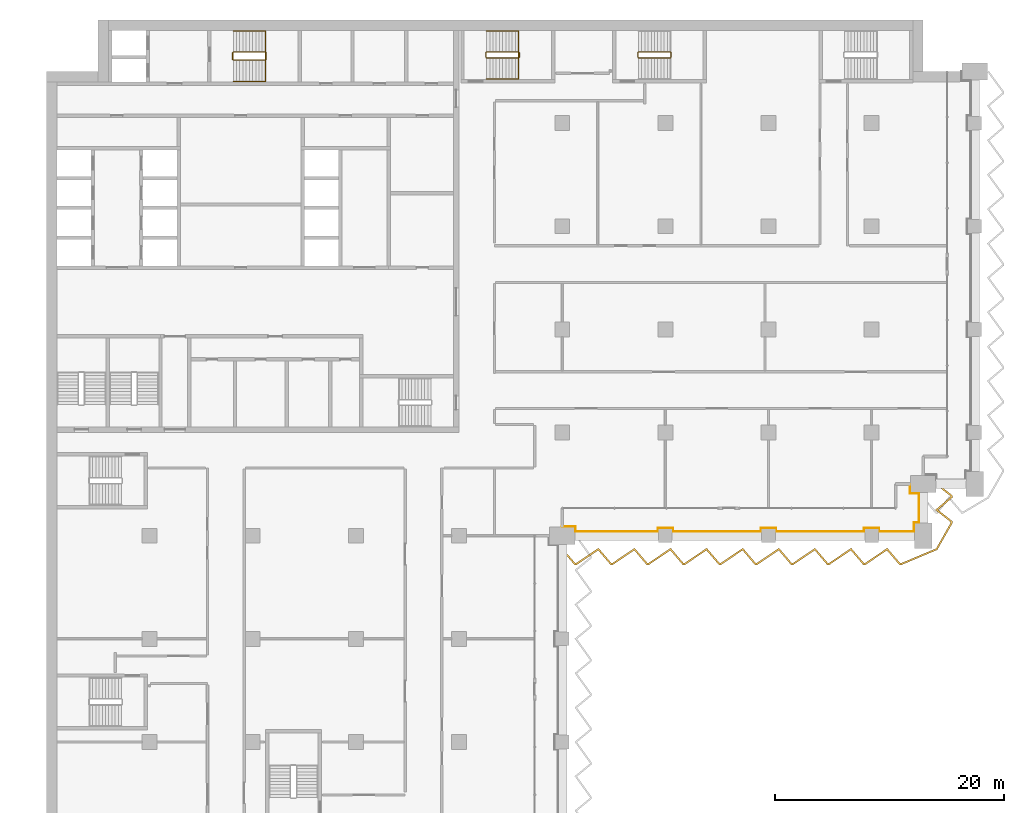
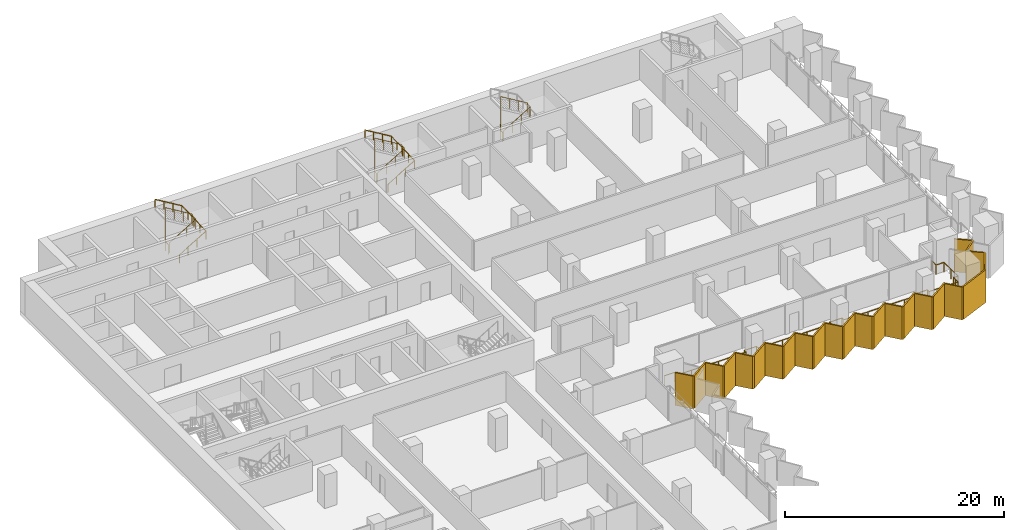
# One storey, part 22 of 23: 6 railings, 1 shading device.
"""IFC4 building model written with IfcOpenShell, lengths in metres."""

from ifc_helpers import new_model, si_unit, direction, frame, origin, origin_2d, place, context, subcontext, project, spatial, polyline, circle, outline, extrude, material, layer, layer_set, type_object, element, save


model = new_model("IFC4")

# Units and contexts
model_context = context("Model", 3, precision=1e-05, world=origin(), true_north=direction((0.0, 1.0)))
body_context = subcontext(model_context, "Body", "Model", "MODEL_VIEW")
ifc_project = project(units=[si_unit("LENGTHUNIT", "METRE"), si_unit("AREAUNIT", "SQUARE_METRE"), si_unit("VOLUMEUNIT", "CUBIC_METRE"), si_unit("PLANEANGLEUNIT", "RADIAN"), si_unit("MASSUNIT", "GRAM", prefix="KILO")], contexts=[model_context])

# Site, building, storey
site_placement = place(None, origin())
site = spatial("IfcSite", under=ifc_project, at=site_placement, CompositionType="ELEMENT")
building_placement = place(site_placement, origin())
building = spatial("IfcBuilding", under=site, at=building_placement, Name="Hunhe Ridgeline Campus", CompositionType="ELEMENT")
storey_placement = place(building_placement, frame((0.0, 0.0, 107.0)))
storey = spatial("IfcBuildingStorey", under=building, at=storey_placement, Name="L26", CompositionType="ELEMENT", Elevation=107.0)

# Railing
ifc_material_1 = material(Name="Steel Q355", Category="steel")
railing_type_1 = type_object("IfcRailingType", Name="Loggia guard 1100 Steel Q355", PredefinedType="GUARDRAIL", material=ifc_material_1)
railing_1_placement = place(storey_placement, frame((45.0, 54.820068359375, 0.0)))
element("IfcRailing", 1, at=railing_1_placement, inside=storey, type_object=railing_type_1, Name="Loggia guard 2", PredefinedType="GUARDRAIL", context=body_context, shape_type="SweptSolid", body=[
    extrude(circle(Radius=0.02392578125, at=origin_2d()), frame((0.0, 0.0, 1.076171875), z_axis=(1.0, 0.0, 0.0), x_axis=(0.0, 1.0, 0.0)), (0.0, 0.0, 1.0), 1.14990234375),
    extrude(circle(Radius=0.02392578125, at=origin_2d()), frame((1.14990234375, 0.0, 1.076171875), z_axis=(0.0, -1.0, 0.0), x_axis=(1.0, 0.0, 0.0)), (0.0, 0.0, 1.0), 0.469970703125),
    extrude(circle(Radius=0.02392578125, at=origin_2d()), frame((1.14990234375, -0.469970703125, 1.076171875), z_axis=(1.0, 0.0, 0.0), x_axis=(0.0, 1.0, 0.0)), (0.0, 0.0, 1.0), 7.2001953125),
    extrude(circle(Radius=0.02392578125, at=origin_2d()), frame((8.35009765625, -0.469970703125, 1.076171875), z_axis=(0.0, 1.0, 0.0), x_axis=(-1.0, 0.0, 0.0)), (0.0, 0.0, 1.0), 0.31982421875),
    extrude(circle(Radius=0.02392578125, at=origin_2d()), frame((8.35009765625, -0.150146484375, 1.076171875), z_axis=(1.0, 0.0, 0.0), x_axis=(0.0, 1.0, 0.0)), (0.0, 0.0, 1.0), 1.2998046875),
    extrude(circle(Radius=0.02392578125, at=origin_2d()), frame((9.64990234375, -0.150146484375, 1.076171875), z_axis=(0.0, -1.0, 0.0), x_axis=(1.0, 0.0, 0.0)), (0.0, 0.0, 1.0), 0.31982421875),
    extrude(circle(Radius=0.02392578125, at=origin_2d()), frame((9.64990234375, -0.469970703125, 1.076171875), z_axis=(1.0, 0.0, 0.0), x_axis=(0.0, 1.0, 0.0)), (0.0, 0.0, 1.0), 7.7001953125),
    extrude(circle(Radius=0.02392578125, at=origin_2d()), frame((17.35009765625, -0.469970703125, 1.076171875), z_axis=(0.0, 1.0, 0.0), x_axis=(-1.0, 0.0, 0.0)), (0.0, 0.0, 1.0), 0.31982421875),
    extrude(circle(Radius=0.02392578125, at=origin_2d()), frame((17.35009765625, -0.150146484375, 1.076171875), z_axis=(1.0, 0.0, 0.0), x_axis=(0.0, 1.0, 0.0)), (0.0, 0.0, 1.0), 1.2998046875),
    extrude(circle(Radius=0.02392578125, at=origin_2d()), frame((18.64990234375, -0.150146484375, 1.076171875), z_axis=(0.0, -1.0, 0.0), x_axis=(1.0, 0.0, 0.0)), (0.0, 0.0, 1.0), 0.31982421875),
    extrude(circle(Radius=0.02392578125, at=origin_2d()), frame((18.64990234375, -0.469970703125, 1.076171875), z_axis=(1.0, 0.0, 0.0), x_axis=(0.0, 1.0, 0.0)), (0.0, 0.0, 1.0), 7.7001953125),
    extrude(circle(Radius=0.02392578125, at=origin_2d()), frame((26.35009765625, -0.469970703125, 1.076171875), z_axis=(0.0, 1.0, 0.0), x_axis=(-1.0, 0.0, 0.0)), (0.0, 0.0, 1.0), 0.31982421875),
    extrude(circle(Radius=0.02392578125, at=origin_2d()), frame((26.35009765625, -0.150146484375, 1.076171875), z_axis=(1.0, 0.0, 0.0), x_axis=(0.0, 1.0, 0.0)), (0.0, 0.0, 1.0), 1.2998046875),
    extrude(circle(Radius=0.02392578125, at=origin_2d()), frame((27.64990234375, -0.150146484375, 1.076171875), z_axis=(0.0, -1.0, 0.0), x_axis=(1.0, 0.0, 0.0)), (0.0, 0.0, 1.0), 0.31982421875),
    extrude(circle(Radius=0.02392578125, at=origin_2d()), frame((27.64990234375, -0.469970703125, 1.076171875), z_axis=(1.0, 0.0, 0.0), x_axis=(0.0, 1.0, 0.0)), (0.0, 0.0, 1.0), 3.050048828125),
    extrude(circle(Radius=0.02392578125, at=origin_2d()), frame((30.699951171875, -0.469970703125, 1.076171875), z_axis=(0.0, 1.0, 0.0), x_axis=(-1.0, 0.0, 0.0)), (0.0, 0.0, 1.0), 0.81982421875),
    extrude(circle(Radius=0.02392578125, at=origin_2d()), frame((30.699951171875, 0.349853515625, 1.076171875), z_axis=(-0.057129153726, -0.99836679622, 0.0), x_axis=(0.99836679622, -0.057129153726, 0.0)), (0.0, 0.0, 1.0), 0.350341796875),
    extrude(circle(Radius=0.02392578125, at=origin_2d()), frame((30.679931640625, 0.0, 1.076171875), z_axis=(0.0, 1.0, 0.0), x_axis=(-1.0, 0.0, 0.0)), (0.0, 0.0, 1.0), 0.329833984375),
    extrude(circle(Radius=0.02392578125, at=origin_2d()), frame((30.679931640625, 0.329833984375, 1.076171875), z_axis=(1.0, 0.0, 0.0), x_axis=(0.0, 1.0, 0.0)), (0.0, 0.0, 1.0), 0.469970703125),
    extrude(circle(Radius=0.02392578125, at=origin_2d()), frame((31.14990234375, 0.329833984375, 1.076171875), z_axis=(0.0, 1.0, 0.0), x_axis=(-1.0, 0.0, 0.0)), (0.0, 0.0, 1.0), 2.550048828125),
    extrude(circle(Radius=0.02392578125, at=origin_2d()), frame((31.14990234375, 2.8798828125, 1.076171875), z_axis=(-1.0, 0.0, 0.0), x_axis=(0.0, -1.0, 0.0)), (0.0, 0.0, 1.0), 0.81982421875),
    extrude(circle(Radius=0.02392578125, at=origin_2d()), frame((30.330078125, 2.8798828125, 1.076171875), z_axis=(0.0, 1.0, 0.0), x_axis=(-1.0, 0.0, 0.0)), (0.0, 0.0, 1.0), 0.800048828125),
    extrude(circle(Radius=0.02099609375, at=origin_2d()), origin(), (0.0, 0.0, 1.0), 1.052001953125),
    extrude(circle(Radius=0.02099609375, at=origin_2d()), frame((1.14990234375, 0.0, 0.0)), (0.0, 0.0, 1.0), 1.052001953125),
    extrude(circle(Radius=0.02099609375, at=origin_2d()), frame((1.14990234375, -0.469970703125, 0.0)), (0.0, 0.0, 1.0), 1.052001953125),
    extrude(circle(Radius=0.02099609375, at=origin_2d()), frame((2.58984375, -0.469970703125, 0.0)), (0.0, 0.0, 1.0), 1.052001953125),
    extrude(circle(Radius=0.02099609375, at=origin_2d()), frame((4.030029296875, -0.469970703125, 0.0)), (0.0, 0.0, 1.0), 1.052001953125),
    extrude(circle(Radius=0.02099609375, at=origin_2d()), frame((5.469970703125, -0.469970703125, 0.0)), (0.0, 0.0, 1.0), 1.052001953125),
    extrude(circle(Radius=0.02099609375, at=origin_2d()), frame((6.91015625, -0.469970703125, 0.0)), (0.0, 0.0, 1.0), 1.052001953125),
    extrude(circle(Radius=0.02099609375, at=origin_2d()), frame((8.35009765625, -0.469970703125, 0.0)), (0.0, 0.0, 1.0), 1.052001953125),
    extrude(circle(Radius=0.02099609375, at=origin_2d()), frame((8.35009765625, -0.150146484375, 0.0)), (0.0, 0.0, 1.0), 1.052001953125),
    extrude(circle(Radius=0.02099609375, at=origin_2d()), frame((9.64990234375, -0.150146484375, 0.0)), (0.0, 0.0, 1.0), 1.052001953125),
    extrude(circle(Radius=0.02099609375, at=origin_2d()), frame((9.64990234375, -0.469970703125, 0.0)), (0.0, 0.0, 1.0), 1.052001953125),
    extrude(circle(Radius=0.02099609375, at=origin_2d()), frame((10.933349609375, -0.469970703125, 0.0)), (0.0, 0.0, 1.0), 1.052001953125),
    extrude(circle(Radius=0.02099609375, at=origin_2d()), frame((12.216552734375, -0.469970703125, 0.0)), (0.0, 0.0, 1.0), 1.052001953125),
    extrude(circle(Radius=0.02099609375, at=origin_2d()), frame((13.5, -0.469970703125, 0.0)), (0.0, 0.0, 1.0), 1.052001953125),
    extrude(circle(Radius=0.02099609375, at=origin_2d()), frame((14.783447265625, -0.469970703125, 0.0)), (0.0, 0.0, 1.0), 1.052001953125),
    extrude(circle(Radius=0.02099609375, at=origin_2d()), frame((16.066650390625, -0.469970703125, 0.0)), (0.0, 0.0, 1.0), 1.052001953125),
    extrude(circle(Radius=0.02099609375, at=origin_2d()), frame((17.35009765625, -0.469970703125, 0.0)), (0.0, 0.0, 1.0), 1.052001953125),
    extrude(circle(Radius=0.02099609375, at=origin_2d()), frame((17.35009765625, -0.150146484375, 0.0)), (0.0, 0.0, 1.0), 1.052001953125),
    extrude(circle(Radius=0.02099609375, at=origin_2d()), frame((18.64990234375, -0.150146484375, 0.0)), (0.0, 0.0, 1.0), 1.052001953125),
    extrude(circle(Radius=0.02099609375, at=origin_2d()), frame((18.64990234375, -0.469970703125, 0.0)), (0.0, 0.0, 1.0), 1.052001953125),
    extrude(circle(Radius=0.02099609375, at=origin_2d()), frame((19.933349609375, -0.469970703125, 0.0)), (0.0, 0.0, 1.0), 1.052001953125),
    extrude(circle(Radius=0.02099609375, at=origin_2d()), frame((21.216552734375, -0.469970703125, 0.0)), (0.0, 0.0, 1.0), 1.052001953125),
    extrude(circle(Radius=0.02099609375, at=origin_2d()), frame((22.5, -0.469970703125, 0.0)), (0.0, 0.0, 1.0), 1.052001953125),
    extrude(circle(Radius=0.02099609375, at=origin_2d()), frame((23.783447265625, -0.469970703125, 0.0)), (0.0, 0.0, 1.0), 1.052001953125),
    extrude(circle(Radius=0.02099609375, at=origin_2d()), frame((25.066650390625, -0.469970703125, 0.0)), (0.0, 0.0, 1.0), 1.052001953125),
    extrude(circle(Radius=0.02099609375, at=origin_2d()), frame((26.35009765625, -0.469970703125, 0.0)), (0.0, 0.0, 1.0), 1.052001953125),
    extrude(circle(Radius=0.02099609375, at=origin_2d()), frame((26.35009765625, -0.150146484375, 0.0)), (0.0, 0.0, 1.0), 1.052001953125),
    extrude(circle(Radius=0.02099609375, at=origin_2d()), frame((27.64990234375, -0.150146484375, 0.0)), (0.0, 0.0, 1.0), 1.052001953125),
    extrude(circle(Radius=0.02099609375, at=origin_2d()), frame((27.64990234375, -0.469970703125, 0.0)), (0.0, 0.0, 1.0), 1.052001953125),
    extrude(circle(Radius=0.02099609375, at=origin_2d()), frame((28.66650390625, -0.469970703125, 0.0)), (0.0, 0.0, 1.0), 1.052001953125),
    extrude(circle(Radius=0.02099609375, at=origin_2d()), frame((29.683349609375, -0.469970703125, 0.0)), (0.0, 0.0, 1.0), 1.052001953125),
    extrude(circle(Radius=0.02099609375, at=origin_2d()), frame((30.699951171875, -0.469970703125, 0.0)), (0.0, 0.0, 1.0), 1.052001953125),
    extrude(circle(Radius=0.02099609375, at=origin_2d()), frame((30.699951171875, 0.349853515625, 0.0)), (0.0, 0.0, 1.0), 1.052001953125),
    extrude(circle(Radius=0.02099609375, at=origin_2d()), frame((30.679931640625, 0.0, 0.0)), (0.0, 0.0, 1.0), 1.052001953125),
    extrude(circle(Radius=0.02099609375, at=origin_2d()), frame((30.679931640625, 0.329833984375, 0.0)), (0.0, 0.0, 1.0), 1.052001953125),
    extrude(circle(Radius=0.02099609375, at=origin_2d()), frame((31.14990234375, 0.329833984375, 0.0)), (0.0, 0.0, 1.0), 1.052001953125),
    extrude(circle(Radius=0.02099609375, at=origin_2d()), frame((31.14990234375, 1.60498046875, 0.0)), (0.0, 0.0, 1.0), 1.052001953125),
    extrude(circle(Radius=0.02099609375, at=origin_2d()), frame((31.14990234375, 2.8798828125, 0.0)), (0.0, 0.0, 1.0), 1.052001953125),
    extrude(circle(Radius=0.02099609375, at=origin_2d()), frame((30.330078125, 2.8798828125, 0.0)), (0.0, 0.0, 1.0), 1.052001953125),
    extrude(circle(Radius=0.02099609375, at=origin_2d()), frame((30.330078125, 3.679931640625, 0.0)), (0.0, 0.0, 1.0), 1.052001953125),
])

# Shading device
ifc_material_2 = material(Name="Concrete C50", Category="concrete")
ifc_layer = layer(ifc_material_2, 0.14990234375)
ifc_layer_set = layer_set([ifc_layer], Name="Sawtooth concrete fin 150 Concrete C50")
shading_device_type = type_object("IfcShadingDeviceType", Name="Sawtooth concrete fin 150 Concrete C50", PredefinedType="USERDEFINED", material=ifc_layer_set)
shading_device_placement = place(storey_placement, frame((0.0, 0.0, -0.949951171875)))
element("IfcShadingDevice", 2, at=shading_device_placement, inside=storey, type_object=shading_device_type, Name="Concrete fin screen 2", ObjectType="FIN", PredefinedType="USERDEFINED", context=body_context, shape_type="SweptSolid", body=[
    extrude(outline(polyline([(45.05712890625, 52.873779296875), (44.94287109375, 52.7763671875), (46.07470703125, 51.449951171875), (46.25244140625, 51.449951171875), (48.136474609375, 52.725341796875), (49.224609375, 51.449951171875), (49.40234375, 51.449951171875), (51.286376953125, 52.725341796875), (52.374755859375, 51.449951171875), (52.55224609375, 51.449951171875), (54.4365234375, 52.725341796875), (55.524658203125, 51.449951171875), (55.702392578125, 51.449951171875), (57.58642578125, 52.725341796875), (58.6748046875, 51.449951171875), (58.852294921875, 51.449951171875), (60.736572265625, 52.725341796875), (61.82470703125, 51.449951171875), (62.00244140625, 51.449951171875), (63.886474609375, 52.725341796875), (64.974609375, 51.449951171875), (65.15234375, 51.449951171875), (67.036376953125, 52.725341796875), (68.124755859375, 51.449951171875), (68.30224609375, 51.449951171875), (70.1865234375, 52.725341796875), (71.274658203125, 51.449951171875), (71.452392578125, 51.449951171875), (73.33642578125, 52.725341796875), (74.4248046875, 51.449951171875), (74.594482421875, 51.449951171875), (77.7275390625, 52.765625), (79.050048828125, 55.089599609375), (79.050048828125, 55.265869140625), (77.79345703125, 56.25244140625), (79.050048828125, 57.32470703125), (79.050048828125, 57.515869140625), (77.721435546875, 58.55908203125), (77.628662109375, 58.44091796875), (78.89990234375, 57.44287109375), (78.89990234375, 57.393798828125), (77.556640625, 56.24755859375), (78.89990234375, 55.19287109375), (78.89990234375, 55.129150390625), (77.622314453125, 52.88427734375), (74.564208984375, 51.60009765625), (74.493896484375, 51.60009765625), (73.363525390625, 52.9248046875), (71.40625, 51.60009765625), (71.343994140625, 51.60009765625), (70.213623046875, 52.9248046875), (68.25634765625, 51.60009765625), (68.19384765625, 51.60009765625), (67.0634765625, 52.9248046875), (65.1064453125, 51.60009765625), (65.0439453125, 51.60009765625), (63.91357421875, 52.9248046875), (61.956298828125, 51.60009765625), (61.893798828125, 51.60009765625), (60.763427734375, 52.9248046875), (58.806396484375, 51.60009765625), (58.743896484375, 51.60009765625), (57.613525390625, 52.9248046875), (55.65625, 51.60009765625), (55.593994140625, 51.60009765625), (54.463623046875, 52.9248046875), (52.50634765625, 51.60009765625), (52.44384765625, 51.60009765625), (51.3134765625, 52.9248046875), (49.3564453125, 51.60009765625), (49.2939453125, 51.60009765625), (48.16357421875, 52.9248046875), (46.206298828125, 51.60009765625), (46.143798828125, 51.60009765625), (45.05712890625, 52.873779296875)])), origin(), (0.0, 0.0, 1.0), 3.64990234375),
])

# Railings
ifc_material_3 = material(Name="Stainless steel balustrade", Category="steel")
railing_type_2 = type_object("IfcRailingType", Name="Stair guard 1100 stainless", PredefinedType="GUARDRAIL", material=ifc_material_3)
railing_2_placement = place(storey_placement, frame((16.300048828125, 95.5, 0.168212890625)))
element("IfcRailing", 3, at=railing_2_placement, inside=storey, type_object=railing_type_2, Name="L26 stair S1 guard", PredefinedType="GUARDRAIL", context=body_context, shape_type="SweptSolid", body=[
    extrude(circle(Radius=0.02392578125, at=origin_2d()), frame((0.0, 0.0, 1.076171875), z_axis=(0.857242210791, 0.0, 0.514913383045), x_axis=(0.0, 1.0, 0.0)), (0.0, 0.0, 1.0), 3.266357421875),
    extrude(circle(Radius=0.02392578125, at=origin_2d()), frame((2.800048828125, 0.0, 2.7578125), z_axis=(0.705375805398, 0.708833529934, 0.0), x_axis=(-0.708833529934, 0.705375805398, 0.0)), (0.0, 0.0, 1.0), 0.070556640625),
    extrude(circle(Radius=0.02392578125, at=origin_2d()), frame((2.849853515625, 0.050048828125, 2.7578125), z_axis=(0.0, 1.0, 0.0), x_axis=(-1.0, 0.0, 0.0)), (0.0, 0.0, 1.0), 0.599853515625),
    extrude(circle(Radius=0.02392578125, at=origin_2d()), frame((2.849853515625, 0.64990234375, 2.7578125), z_axis=(-0.273343290215, 0.274683208305, 0.921863645432), x_axis=(-0.708833529934, -0.705375805398, 0.0)), (0.0, 0.0, 1.0), 0.18212890625),
    extrude(circle(Radius=0.02392578125, at=origin_2d()), frame((2.800048828125, 0.699951171875, 2.92578125), z_axis=(-0.857242210791, 0.0, 0.514913383045), x_axis=(0.0, -1.0, 0.0)), (0.0, 0.0, 1.0), 3.266357421875),
    extrude(circle(Radius=0.02392578125, at=origin_2d()), frame((0.0, 0.699951171875, 4.60791015625), z_axis=(-0.013524414389, -0.013524414389, -0.999817073484), x_axis=(0.707106781187, -0.707106781187, 0.0)), (0.0, 0.0, 1.0), 3.70068359375),
    extrude(circle(Radius=0.02392578125, at=origin_2d()), frame((-0.050048828125, 0.64990234375, 0.90771484375), z_axis=(0.0, -1.0, 0.0), x_axis=(1.0, 0.0, 0.0)), (0.0, 0.0, 1.0), 0.599853515625),
    extrude(circle(Radius=0.02099609375, at=origin_2d()), origin(), (0.0, 0.0, 1.0), 1.052001953125),
    extrude(circle(Radius=0.02099609375, at=origin_2d()), frame((0.933349609375, 0.0, 0.560546875)), (0.0, 0.0, 1.0), 1.052001953125),
    extrude(circle(Radius=0.02099609375, at=origin_2d()), frame((1.86669921875, 0.0, 1.121337890625)), (0.0, 0.0, 1.0), 1.052001953125),
    extrude(circle(Radius=0.02099609375, at=origin_2d()), frame((2.800048828125, 0.0, 1.681884765625)), (0.0, 0.0, 1.0), 1.052001953125),
    extrude(circle(Radius=0.02099609375, at=origin_2d()), frame((2.849853515625, 0.050048828125, 1.681884765625)), (0.0, 0.0, 1.0), 1.052001953125),
    extrude(circle(Radius=0.02099609375, at=origin_2d()), frame((2.849853515625, 0.64990234375, 1.681884765625)), (0.0, 0.0, 1.0), 1.052001953125),
    extrude(circle(Radius=0.02099609375, at=origin_2d()), frame((2.800048828125, 0.699951171875, 1.849853515625)), (0.0, 0.0, 1.0), 1.052001953125),
    extrude(circle(Radius=0.02099609375, at=origin_2d()), frame((1.86669921875, 0.699951171875, 2.410400390625)), (0.0, 0.0, 1.0), 1.052001953125),
    extrude(circle(Radius=0.02099609375, at=origin_2d()), frame((0.933349609375, 0.699951171875, 2.97119140625)), (0.0, 0.0, 1.0), 1.052001953125),
    extrude(circle(Radius=0.02099609375, at=origin_2d()), frame((0.0, 0.699951171875, 3.53173828125)), (0.0, 0.0, 1.0), 1.052001953125),
    extrude(circle(Radius=0.02099609375, at=origin_2d()), frame((-0.012451171875, 0.6875, 2.606689453125)), (0.0, 0.0, 1.0), 1.052001953125),
    extrude(circle(Radius=0.02099609375, at=origin_2d()), frame((-0.02490234375, 0.6748046875, 1.681640625)), (0.0, 0.0, 1.0), 1.052001953125),
    extrude(circle(Radius=0.02099609375, at=origin_2d()), frame((-0.03759765625, 0.662353515625, 0.7568359375)), (0.0, 0.0, 1.0), 1.052001953125),
    extrude(circle(Radius=0.02099609375, at=origin_2d()), frame((-0.050048828125, 0.64990234375, -0.168212890625)), (0.0, 0.0, 1.0), 1.052001953125),
    extrude(circle(Radius=0.02099609375, at=origin_2d()), frame((-0.050048828125, 0.050048828125, -0.168212890625)), (0.0, 0.0, 1.0), 1.052001953125),
])
railing_3_placement = place(storey_placement, frame((38.39990234375, 95.699951171875, 0.168212890625)))
element("IfcRailing", 4, at=railing_3_placement, inside=storey, type_object=railing_type_2, Name="L26 stair E1 guard", PredefinedType="GUARDRAIL", context=body_context, shape_type="SweptSolid", body=[
    extrude(circle(Radius=0.02392578125, at=origin_2d()), frame((0.0, 0.0, 1.076171875), z_axis=(0.857242210791, 0.0, 0.514913383045), x_axis=(0.0, 1.0, 0.0)), (0.0, 0.0, 1.0), 3.266357421875),
    extrude(circle(Radius=0.02392578125, at=origin_2d()), frame((2.800048828125, 0.0, 2.7578125), z_axis=(0.707106781187, 0.707106781187, 0.0), x_axis=(-0.707106781187, 0.707106781187, 0.0)), (0.0, 0.0, 1.0), 0.07080078125),
    extrude(circle(Radius=0.02392578125, at=origin_2d()), frame((2.85009765625, 0.050048828125, 2.7578125), z_axis=(0.0, 1.0, 0.0), x_axis=(-1.0, 0.0, 0.0)), (0.0, 0.0, 1.0), 0.39990234375),
    extrude(circle(Radius=0.02392578125, at=origin_2d()), frame((2.85009765625, 0.449951171875, 2.7578125), z_axis=(-0.274582412415, 0.274582412415, 0.921525364591), x_axis=(-0.707106781187, -0.707106781187, 0.0)), (0.0, 0.0, 1.0), 0.182373046875),
    extrude(circle(Radius=0.02392578125, at=origin_2d()), frame((2.800048828125, 0.5, 2.92578125), z_axis=(-0.857242210791, 0.0, 0.514913383045), x_axis=(0.0, -1.0, 0.0)), (0.0, 0.0, 1.0), 3.266357421875),
    extrude(circle(Radius=0.02392578125, at=origin_2d()), frame((0.0, 0.5, 4.60791015625), z_axis=(-0.013458453615, -0.013524426427, -0.999817963389), x_axis=(0.708833529934, -0.705375805398, 0.0)), (0.0, 0.0, 1.0), 3.70068359375),
    extrude(circle(Radius=0.02392578125, at=origin_2d()), frame((-0.0498046875, 0.449951171875, 0.90771484375), z_axis=(0.0, -1.0, 0.0), x_axis=(1.0, 0.0, 0.0)), (0.0, 0.0, 1.0), 0.39990234375),
    extrude(circle(Radius=0.02099609375, at=origin_2d()), origin(), (0.0, 0.0, 1.0), 1.052001953125),
    extrude(circle(Radius=0.02099609375, at=origin_2d()), frame((0.933349609375, 0.0, 0.560546875)), (0.0, 0.0, 1.0), 1.052001953125),
    extrude(circle(Radius=0.02099609375, at=origin_2d()), frame((1.86669921875, 0.0, 1.121337890625)), (0.0, 0.0, 1.0), 1.052001953125),
    extrude(circle(Radius=0.02099609375, at=origin_2d()), frame((2.800048828125, 0.0, 1.681884765625)), (0.0, 0.0, 1.0), 1.052001953125),
    extrude(circle(Radius=0.02099609375, at=origin_2d()), frame((2.85009765625, 0.050048828125, 1.681884765625)), (0.0, 0.0, 1.0), 1.052001953125),
    extrude(circle(Radius=0.02099609375, at=origin_2d()), frame((2.85009765625, 0.449951171875, 1.681884765625)), (0.0, 0.0, 1.0), 1.052001953125),
    extrude(circle(Radius=0.02099609375, at=origin_2d()), frame((2.800048828125, 0.5, 1.849853515625)), (0.0, 0.0, 1.0), 1.052001953125),
    extrude(circle(Radius=0.02099609375, at=origin_2d()), frame((1.86669921875, 0.5, 2.410400390625)), (0.0, 0.0, 1.0), 1.052001953125),
    extrude(circle(Radius=0.02099609375, at=origin_2d()), frame((0.933349609375, 0.5, 2.97119140625)), (0.0, 0.0, 1.0), 1.052001953125),
    extrude(circle(Radius=0.02099609375, at=origin_2d()), frame((0.0, 0.5, 3.53173828125)), (0.0, 0.0, 1.0), 1.052001953125),
    extrude(circle(Radius=0.02099609375, at=origin_2d()), frame((-0.012451171875, 0.487548828125, 2.606689453125)), (0.0, 0.0, 1.0), 1.052001953125),
    extrude(circle(Radius=0.02099609375, at=origin_2d()), frame((-0.02490234375, 0.47509765625, 1.681640625)), (0.0, 0.0, 1.0), 1.052001953125),
    extrude(circle(Radius=0.02099609375, at=origin_2d()), frame((-0.037353515625, 0.46240234375, 0.7568359375)), (0.0, 0.0, 1.0), 1.052001953125),
    extrude(circle(Radius=0.02099609375, at=origin_2d()), frame((-0.0498046875, 0.449951171875, -0.168212890625)), (0.0, 0.0, 1.0), 1.052001953125),
    extrude(circle(Radius=0.02099609375, at=origin_2d()), frame((-0.0498046875, 0.050048828125, -0.168212890625)), (0.0, 0.0, 1.0), 1.052001953125),
])
railing_4_placement = place(storey_placement, frame((51.64990234375, 95.699951171875, 0.168212890625)))
element("IfcRailing", 5, at=railing_4_placement, inside=storey, type_object=railing_type_2, Name="L26 stair E2 guard", PredefinedType="GUARDRAIL", context=body_context, shape_type="SweptSolid", body=[
    extrude(circle(Radius=0.02392578125, at=origin_2d()), frame((0.0, 0.0, 1.076171875), z_axis=(0.857242210791, 0.0, 0.514913383045), x_axis=(0.0, 1.0, 0.0)), (0.0, 0.0, 1.0), 3.266357421875),
    extrude(circle(Radius=0.02392578125, at=origin_2d()), frame((2.800048828125, 0.0, 2.7578125), z_axis=(0.707106781187, 0.707106781187, 0.0), x_axis=(-0.707106781187, 0.707106781187, 0.0)), (0.0, 0.0, 1.0), 0.07080078125),
    extrude(circle(Radius=0.02392578125, at=origin_2d()), frame((2.85009765625, 0.050048828125, 2.7578125), z_axis=(0.0, 1.0, 0.0), x_axis=(-1.0, 0.0, 0.0)), (0.0, 0.0, 1.0), 0.39990234375),
    extrude(circle(Radius=0.02392578125, at=origin_2d()), frame((2.85009765625, 0.449951171875, 2.7578125), z_axis=(-0.274582412415, 0.274582412415, 0.921525364591), x_axis=(-0.707106781187, -0.707106781187, 0.0)), (0.0, 0.0, 1.0), 0.182373046875),
    extrude(circle(Radius=0.02392578125, at=origin_2d()), frame((2.800048828125, 0.5, 2.92578125), z_axis=(-0.857242210791, 0.0, 0.514913383045), x_axis=(0.0, -1.0, 0.0)), (0.0, 0.0, 1.0), 3.266357421875),
    extrude(circle(Radius=0.02392578125, at=origin_2d()), frame((0.0, 0.5, 4.60791015625), z_axis=(-0.013458453615, -0.013524426427, -0.999817963389), x_axis=(0.708833529934, -0.705375805398, 0.0)), (0.0, 0.0, 1.0), 3.70068359375),
    extrude(circle(Radius=0.02392578125, at=origin_2d()), frame((-0.0498046875, 0.449951171875, 0.90771484375), z_axis=(0.0, -1.0, 0.0), x_axis=(1.0, 0.0, 0.0)), (0.0, 0.0, 1.0), 0.39990234375),
    extrude(circle(Radius=0.02099609375, at=origin_2d()), origin(), (0.0, 0.0, 1.0), 1.052001953125),
    extrude(circle(Radius=0.02099609375, at=origin_2d()), frame((0.933349609375, 0.0, 0.560546875)), (0.0, 0.0, 1.0), 1.052001953125),
    extrude(circle(Radius=0.02099609375, at=origin_2d()), frame((1.86669921875, 0.0, 1.121337890625)), (0.0, 0.0, 1.0), 1.052001953125),
    extrude(circle(Radius=0.02099609375, at=origin_2d()), frame((2.800048828125, 0.0, 1.681884765625)), (0.0, 0.0, 1.0), 1.052001953125),
    extrude(circle(Radius=0.02099609375, at=origin_2d()), frame((2.85009765625, 0.050048828125, 1.681884765625)), (0.0, 0.0, 1.0), 1.052001953125),
    extrude(circle(Radius=0.02099609375, at=origin_2d()), frame((2.85009765625, 0.449951171875, 1.681884765625)), (0.0, 0.0, 1.0), 1.052001953125),
    extrude(circle(Radius=0.02099609375, at=origin_2d()), frame((2.800048828125, 0.5, 1.849853515625)), (0.0, 0.0, 1.0), 1.052001953125),
    extrude(circle(Radius=0.02099609375, at=origin_2d()), frame((1.86669921875, 0.5, 2.410400390625)), (0.0, 0.0, 1.0), 1.052001953125),
    extrude(circle(Radius=0.02099609375, at=origin_2d()), frame((0.933349609375, 0.5, 2.97119140625)), (0.0, 0.0, 1.0), 1.052001953125),
    extrude(circle(Radius=0.02099609375, at=origin_2d()), frame((0.0, 0.5, 3.53173828125)), (0.0, 0.0, 1.0), 1.052001953125),
    extrude(circle(Radius=0.02099609375, at=origin_2d()), frame((-0.012451171875, 0.487548828125, 2.606689453125)), (0.0, 0.0, 1.0), 1.052001953125),
    extrude(circle(Radius=0.02099609375, at=origin_2d()), frame((-0.02490234375, 0.47509765625, 1.681640625)), (0.0, 0.0, 1.0), 1.052001953125),
    extrude(circle(Radius=0.02099609375, at=origin_2d()), frame((-0.037353515625, 0.46240234375, 0.7568359375)), (0.0, 0.0, 1.0), 1.052001953125),
    extrude(circle(Radius=0.02099609375, at=origin_2d()), frame((-0.0498046875, 0.449951171875, -0.168212890625)), (0.0, 0.0, 1.0), 1.052001953125),
    extrude(circle(Radius=0.02099609375, at=origin_2d()), frame((-0.0498046875, 0.050048828125, -0.168212890625)), (0.0, 0.0, 1.0), 1.052001953125),
])
ifc_material_4 = material(Name="Stainless steel handrail", Category="steel")
railing_type_3 = type_object("IfcRailingType", Name="Stair handrail 900 stainless", PredefinedType="HANDRAIL", material=ifc_material_4)
railing_5_placement = place(storey_placement, frame((16.300048828125, 93.64990234375, 0.168212890625)))
element("IfcRailing", 6, at=railing_5_placement, inside=storey, type_object=railing_type_3, Name="L26 stair S1 handrail", PredefinedType="HANDRAIL", context=body_context, shape_type="SweptSolid", body=[
    extrude(circle(Radius=0.02392578125, at=origin_2d()), frame((0.0, 0.0, 0.8759765625), z_axis=(0.857242210791, 0.0, 0.514913383045), x_axis=(0.0, 1.0, 0.0)), (0.0, 0.0, 1.0), 3.266357421875),
    extrude(circle(Radius=0.02392578125, at=origin_2d()), frame((2.800048828125, 0.0, 2.5576171875), z_axis=(0.0, 0.999272189381, 0.038145662004), x_axis=(-1.0, 0.0, 0.0)), (0.0, 0.0, 1.0), 4.4033203125),
    extrude(circle(Radius=0.02392578125, at=origin_2d()), frame((2.800048828125, 4.400146484375, 2.7255859375), z_axis=(-0.857242210791, 0.0, 0.514913383045), x_axis=(0.0, -1.0, 0.0)), (0.0, 0.0, 1.0), 3.266357421875),
    extrude(circle(Radius=0.02099609375, at=origin_2d()), origin(), (0.0, 0.0, 1.0), 0.851806640625),
    extrude(circle(Radius=0.02099609375, at=origin_2d()), frame((0.933349609375, 0.0, 0.560546875)), (0.0, 0.0, 1.0), 0.851806640625),
    extrude(circle(Radius=0.02099609375, at=origin_2d()), frame((1.86669921875, 0.0, 1.121337890625)), (0.0, 0.0, 1.0), 0.851806640625),
    extrude(circle(Radius=0.02099609375, at=origin_2d()), frame((2.800048828125, 0.0, 1.681884765625)), (0.0, 0.0, 1.0), 0.851806640625),
    extrude(circle(Radius=0.02099609375, at=origin_2d()), frame((2.800048828125, 1.10009765625, 1.723876953125)), (0.0, 0.0, 1.0), 0.851806640625),
    extrude(circle(Radius=0.02099609375, at=origin_2d()), frame((2.800048828125, 2.2001953125, 1.765869140625)), (0.0, 0.0, 1.0), 0.851806640625),
    extrude(circle(Radius=0.02099609375, at=origin_2d()), frame((2.800048828125, 3.300048828125, 1.807861328125)), (0.0, 0.0, 1.0), 0.851806640625),
    extrude(circle(Radius=0.02099609375, at=origin_2d()), frame((2.800048828125, 4.400146484375, 1.849853515625)), (0.0, 0.0, 1.0), 0.851806640625),
    extrude(circle(Radius=0.02099609375, at=origin_2d()), frame((1.86669921875, 4.400146484375, 2.410400390625)), (0.0, 0.0, 1.0), 0.851806640625),
    extrude(circle(Radius=0.02099609375, at=origin_2d()), frame((0.933349609375, 4.400146484375, 2.97119140625)), (0.0, 0.0, 1.0), 0.851806640625),
    extrude(circle(Radius=0.02099609375, at=origin_2d()), frame((0.0, 4.400146484375, 3.53173828125)), (0.0, 0.0, 1.0), 0.851806640625),
])
railing_6_placement = place(storey_placement, frame((38.39990234375, 93.85009765625, 0.168212890625)))
element("IfcRailing", 7, at=railing_6_placement, inside=storey, type_object=railing_type_3, Name="L26 stair E1 handrail", PredefinedType="HANDRAIL", context=body_context, shape_type="SweptSolid", body=[
    extrude(circle(Radius=0.02392578125, at=origin_2d()), frame((0.0, 0.0, 0.8759765625), z_axis=(0.857242210791, 0.0, 0.514913383045), x_axis=(0.0, 1.0, 0.0)), (0.0, 0.0, 1.0), 3.266357421875),
    extrude(circle(Radius=0.02392578125, at=origin_2d()), frame((2.800048828125, 0.0, 2.5576171875), z_axis=(0.0, 0.99920123705, 0.039961079526), x_axis=(-1.0, 0.0, 0.0)), (0.0, 0.0, 1.0), 4.203369140625),
    extrude(circle(Radius=0.02392578125, at=origin_2d()), frame((2.800048828125, 4.199951171875, 2.7255859375), z_axis=(-0.857242210791, 0.0, 0.514913383045), x_axis=(0.0, -1.0, 0.0)), (0.0, 0.0, 1.0), 3.266357421875),
    extrude(circle(Radius=0.02099609375, at=origin_2d()), origin(), (0.0, 0.0, 1.0), 0.851806640625),
    extrude(circle(Radius=0.02099609375, at=origin_2d()), frame((0.933349609375, 0.0, 0.560546875)), (0.0, 0.0, 1.0), 0.851806640625),
    extrude(circle(Radius=0.02099609375, at=origin_2d()), frame((1.86669921875, 0.0, 1.121337890625)), (0.0, 0.0, 1.0), 0.851806640625),
    extrude(circle(Radius=0.02099609375, at=origin_2d()), frame((2.800048828125, 0.0, 1.681884765625)), (0.0, 0.0, 1.0), 0.851806640625),
    extrude(circle(Radius=0.02099609375, at=origin_2d()), frame((2.800048828125, 1.050048828125, 1.723876953125)), (0.0, 0.0, 1.0), 0.851806640625),
    extrude(circle(Radius=0.02099609375, at=origin_2d()), frame((2.800048828125, 2.10009765625, 1.765869140625)), (0.0, 0.0, 1.0), 0.851806640625),
    extrude(circle(Radius=0.02099609375, at=origin_2d()), frame((2.800048828125, 3.14990234375, 1.807861328125)), (0.0, 0.0, 1.0), 0.851806640625),
    extrude(circle(Radius=0.02099609375, at=origin_2d()), frame((2.800048828125, 4.199951171875, 1.849853515625)), (0.0, 0.0, 1.0), 0.851806640625),
    extrude(circle(Radius=0.02099609375, at=origin_2d()), frame((1.86669921875, 4.199951171875, 2.410400390625)), (0.0, 0.0, 1.0), 0.851806640625),
    extrude(circle(Radius=0.02099609375, at=origin_2d()), frame((0.933349609375, 4.199951171875, 2.97119140625)), (0.0, 0.0, 1.0), 0.851806640625),
    extrude(circle(Radius=0.02099609375, at=origin_2d()), frame((0.0, 4.199951171875, 3.53173828125)), (0.0, 0.0, 1.0), 0.851806640625),
])

save(model, "model.ifc")
